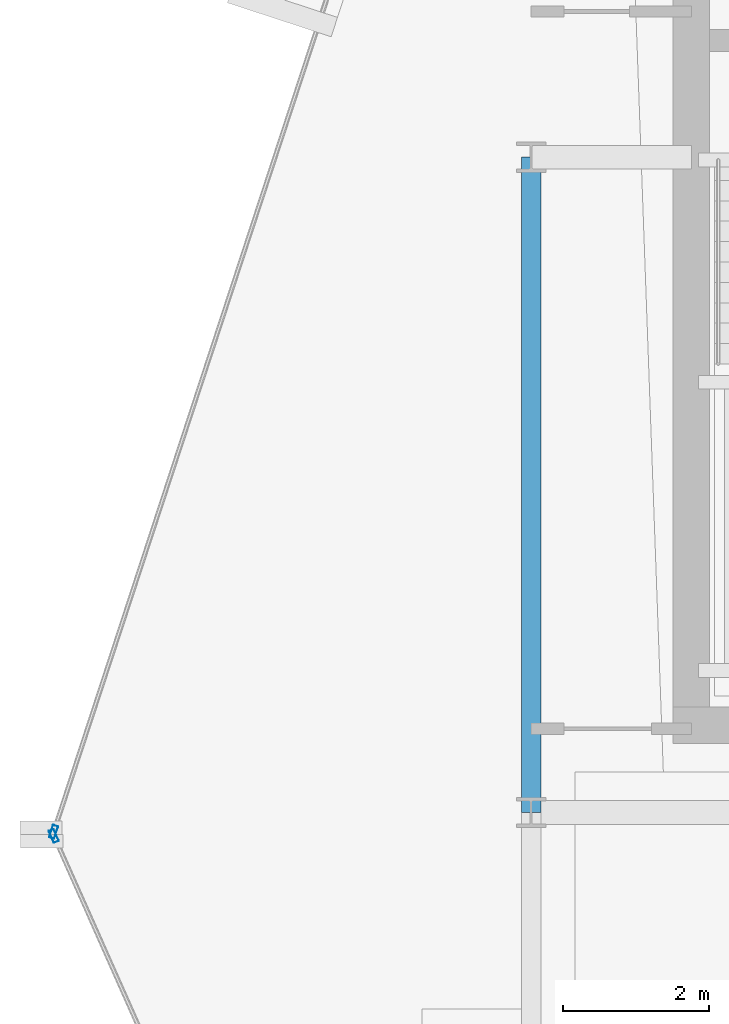
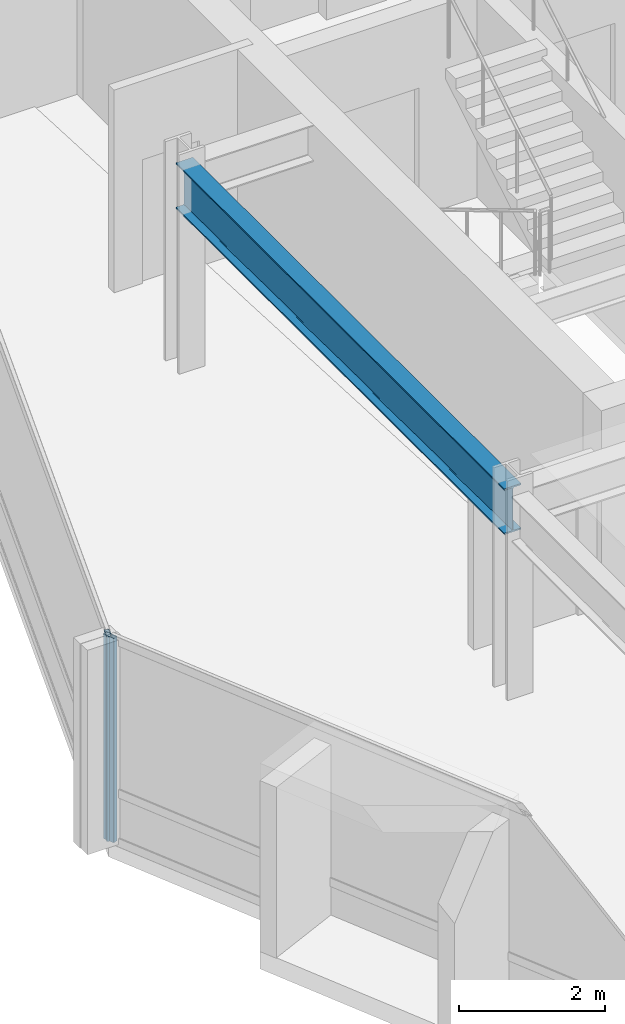
# One storey, part 6 of 27: 2 members, 1 beam, 2 elements without a shape of their own.
"""IFC4 building model written with IfcOpenShell, lengths in metres."""

from ifc_helpers import new_model, si_unit, direction, frame, origin, origin_2d, place, context, subcontext, project, spatial, hollow_rectangle, i_section, extrude, material, layer, layer_set, material_profile, profile_set, type_object, element, aggregate, save


model = new_model("IFC4")

# Units and contexts
model_context = context("Model", 3, precision=1e-05, world=origin(), true_north=direction((0.0, 1.0)))
body_context = subcontext(model_context, "Body", "Model", "MODEL_VIEW")
ifc_project = project(units=[si_unit("LENGTHUNIT", "METRE"), si_unit("AREAUNIT", "SQUARE_METRE"), si_unit("VOLUMEUNIT", "CUBIC_METRE"), si_unit("PLANEANGLEUNIT", "RADIAN"), si_unit("MASSUNIT", "GRAM", prefix="KILO")], contexts=[model_context])

# Site, building, storey
site_placement = place(None, origin())
site = spatial("IfcSite", under=ifc_project, at=site_placement, CompositionType="ELEMENT")
building_placement = place(site_placement, origin())
building = spatial("IfcBuilding", under=site, at=building_placement, Name="Solvaryn Broadcast Tower", CompositionType="ELEMENT")
storey_placement = place(building_placement, frame((0.0, 0.0, 177.89990234375)))
storey = spatial("IfcBuildingStorey", under=building, at=storey_placement, Name="L44", CompositionType="ELEMENT", Elevation=177.89990234375)

# Beam
ifc_material_1 = material(Name="Steel ASTM A992 Grade 50", Category="steel")
ifc_material_profile_1 = material_profile(ifc_material_1, i_section(OverallWidth=0.26708984375, OverallDepth=0.76611328125, WebThickness=0.014892578125, FlangeThickness=0.023681640625, FilletRadius=0.01806640625, at=origin_2d()))
ifc_profile_set_1 = profile_set([ifc_material_profile_1], Name="Steel ASTM A992 Grade 50")
beam_type = type_object("IfcBeamType", Name="BM-SP2-W30X124", PredefinedType="USERDEFINED", material=ifc_profile_set_1)
beam_placement = place(storey_placement, frame((9.0, 27.0, 3.037109375), z_axis=(0.0, 1.0, 0.0), x_axis=(-1.0, 0.0, 0.0)))
element("IfcBeam", 1, at=beam_placement, inside=storey, type_object=beam_type, Name="L44 Spandrel Beam Y (27-36 @ X=9)", ObjectType="SPANDREL", PredefinedType="USERDEFINED", context=body_context, shape_type="SweptSolid", body=[
    extrude(i_section(OverallWidth=0.26708984375, OverallDepth=0.76611328125, WebThickness=0.014892578125, FlangeThickness=0.023681640625, FilletRadius=0.01806640625, at=origin_2d()), origin(), (0.0, 0.0, 1.0), 9.0),
])

# Curtain wall, member
ifc_material_2 = material(Name="Aluminium and Terracotta Unitised Curtain Wall", Category="masonry")
ifc_layer = layer(ifc_material_2, 0.199951171875)
ifc_layer_set = layer_set([ifc_layer], Name="CW-SYS2-LOWMID")
curtain_wall_type = type_object("IfcCurtainWallType", Name="CW-SYS2-LOWMID", PredefinedType="NOTDEFINED", material=ifc_layer_set)
curtain_wall_1_placement = place(storey_placement, origin())
curtain_wall_1 = element("IfcCurtainWall", 2, at=curtain_wall_1_placement, inside=storey, type_object=curtain_wall_type, Name="L44 Curtain Wall DR1", PredefinedType="NOTDEFINED")
ifc_material_3 = material(Name="Anodised Aluminium 6063-T6", Category="aluminium")
ifc_material_profile_2 = material_profile(ifc_material_3, hollow_rectangle(XDim=0.074951171875, YDim=0.179931640625, WallThickness=0.00390625, InnerFilletRadius=0.00390625, OuterFilletRadius=0.008056640625, at=origin_2d()))
ifc_profile_set_2 = profile_set([ifc_material_profile_2], Name="Anodised Aluminium 6063-T6")
member_type = type_object("IfcMemberType", Name="CW-MUL-180", PredefinedType="MULLION", material=ifc_profile_set_2)
member_1_placement = place(storey_placement, frame((2.4423828125, 26.734619140625, 0.0), z_axis=(0.0, 0.0, 1.0), x_axis=(0.950226902099, -0.311558717623, 0.0)))
member_1 = element("IfcMember", 3, at=member_1_placement, type_object=member_type, Name="CWS2 mullion 2", PredefinedType="MULLION", context=body_context, shape_type="SweptSolid", body=[
    extrude(hollow_rectangle(XDim=0.074951171875, YDim=0.179931640625, WallThickness=0.00390625, InnerFilletRadius=0.00390625, OuterFilletRadius=0.008056640625, at=origin_2d()), origin(), (0.0, 0.0, 1.0), 3.420166015625),
])
aggregate(curtain_wall_1, [member_1])

curtain_wall_2_placement = place(storey_placement, origin())
curtain_wall_2 = element("IfcCurtainWall", 4, at=curtain_wall_2_placement, inside=storey, type_object=curtain_wall_type, Name="L44 Curtain Wall DR2", PredefinedType="NOTDEFINED")
member_2_placement = place(storey_placement, frame((2.445068359375, 26.678466796875, 0.0), z_axis=(0.0, 0.0, 1.0), x_axis=(0.913916902365, 0.405901337237, 0.0)))
member_2 = element("IfcMember", 5, at=member_2_placement, type_object=member_type, Name="CWS2 mullion 1", PredefinedType="MULLION", context=body_context, shape_type="SweptSolid", body=[
    extrude(hollow_rectangle(XDim=0.074951171875, YDim=0.179931640625, WallThickness=0.00390625, InnerFilletRadius=0.00390625, OuterFilletRadius=0.008056640625, at=origin_2d()), origin(), (0.0, 0.0, 1.0), 3.420166015625),
])
aggregate(curtain_wall_2, [member_2])

save(model, "model.ifc")
